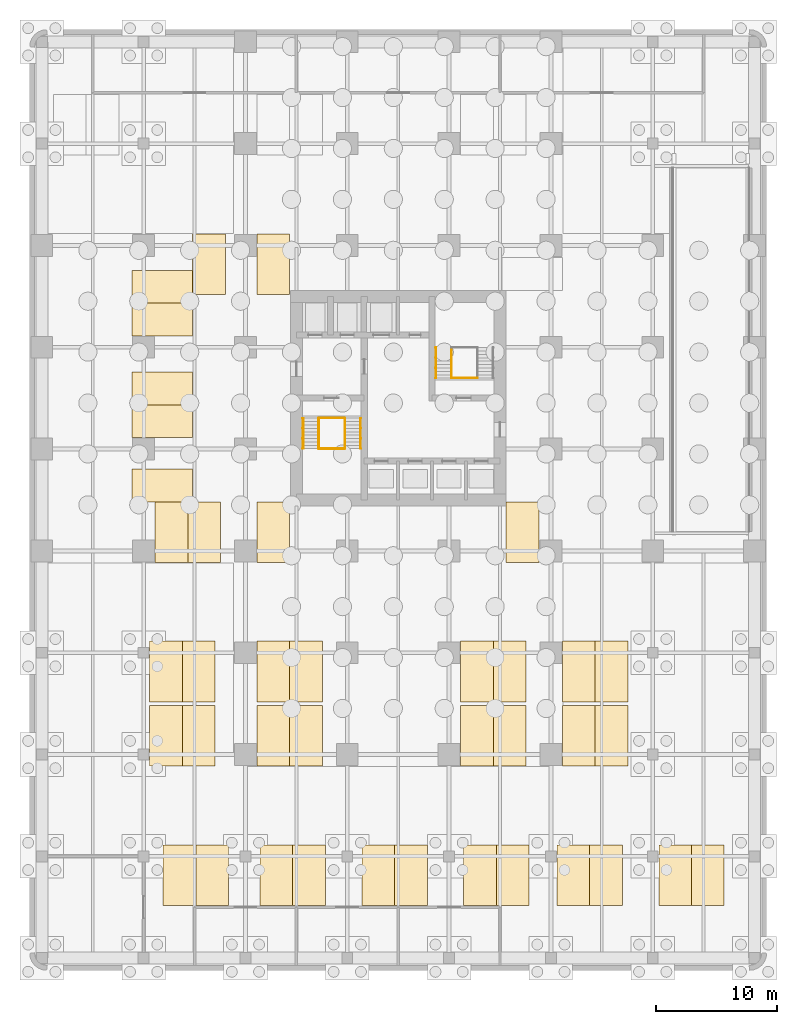
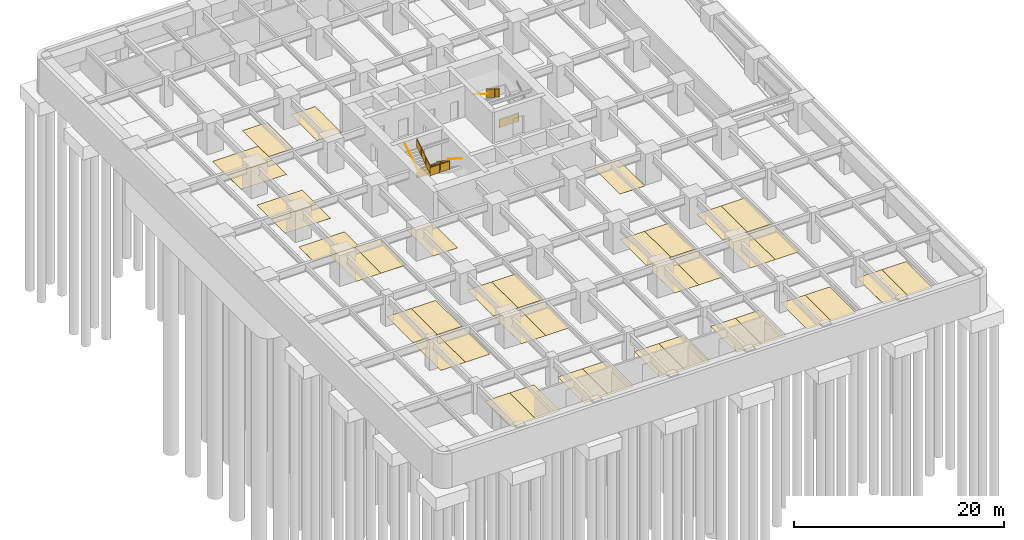
# One storey, part 8 of 11: 39 coverings, 9 railings.
"""IFC4 building model written with IfcOpenShell, lengths in metres."""

from ifc_helpers import new_model, si_unit, direction, frame, origin, origin_2d, place, context, subcontext, project, spatial, polyline, circle, outline, extrude, material, layer, layer_set, type_object, element, save


model = new_model("IFC4")

# Units and contexts
model_context = context("Model", 3, precision=1e-05, world=origin(), true_north=direction((0.0, 1.0)))
body_context = subcontext(model_context, "Body", "Model", "MODEL_VIEW")
ifc_project = project(units=[si_unit("LENGTHUNIT", "METRE"), si_unit("AREAUNIT", "SQUARE_METRE"), si_unit("VOLUMEUNIT", "CUBIC_METRE"), si_unit("PLANEANGLEUNIT", "RADIAN"), si_unit("MASSUNIT", "GRAM", prefix="KILO")], contexts=[model_context])

# Site, building, storey
site_placement = place(None, origin())
site = spatial("IfcSite", under=ifc_project, at=site_placement, CompositionType="ELEMENT")
building_placement = place(site_placement, origin())
building = spatial("IfcBuilding", under=site, at=building_placement, Name="Torre Alcanfor", CompositionType="ELEMENT")
storey_placement = place(building_placement, frame((0.0, 0.0, -7.199951171875)))
storey = spatial("IfcBuildingStorey", under=building, at=storey_placement, Name="B2", CompositionType="ELEMENT", Elevation=-7.199951171875)

# Coverings
ifc_material_1 = material(Name="Line-marking paint on sealed concrete", Category="concrete")
ifc_layer = layer(ifc_material_1, 0.0029296875)
ifc_layer_set = layer_set([ifc_layer], Name="Parking bay marking 2700x5000")
covering_type = type_object("IfcCoveringType", Name="Parking bay marking 2700x5000", PredefinedType="USERDEFINED", material=ifc_layer_set)
covering_1_placement = place(storey_placement, origin())
element("IfcCovering", 1, at=covering_1_placement, inside=storey, type_object=covering_type, Name="Parking bay 201", ObjectType="PARKING BAY", PredefinedType="USERDEFINED", context=body_context, shape_type="SweptSolid", body=[
    extrude(outline(polyline([(10.0, -12.449951171875), (12.699951171875, -12.449951171875), (12.699951171875, -7.449951171875), (10.0, -7.449951171875), (10.0, -12.449951171875)])), origin(), (0.0, 0.0, 1.0), 0.0029296875),
])
covering_2_placement = place(storey_placement, origin())
element("IfcCovering", 2, at=covering_2_placement, inside=storey, type_object=covering_type, Name="Parking bay 202", ObjectType="PARKING BAY", PredefinedType="USERDEFINED", context=body_context, shape_type="SweptSolid", body=[
    extrude(outline(polyline([(12.699951171875, -12.449951171875), (15.39990234375, -12.449951171875), (15.39990234375, -7.449951171875), (12.699951171875, -7.449951171875), (12.699951171875, -12.449951171875)])), origin(), (0.0, 0.0, 1.0), 0.0029296875),
])
covering_3_placement = place(storey_placement, origin())
element("IfcCovering", 3, at=covering_3_placement, inside=storey, type_object=covering_type, Name="Parking bay 203", ObjectType="PARKING BAY", PredefinedType="USERDEFINED", context=body_context, shape_type="SweptSolid", body=[
    extrude(outline(polyline([(18.0, -12.449951171875), (20.699951171875, -12.449951171875), (20.699951171875, -7.449951171875), (18.0, -7.449951171875), (18.0, -12.449951171875)])), origin(), (0.0, 0.0, 1.0), 0.0029296875),
])
covering_4_placement = place(storey_placement, origin())
element("IfcCovering", 4, at=covering_4_placement, inside=storey, type_object=covering_type, Name="Parking bay 204", ObjectType="PARKING BAY", PredefinedType="USERDEFINED", context=body_context, shape_type="SweptSolid", body=[
    extrude(outline(polyline([(20.699951171875, -12.449951171875), (23.39990234375, -12.449951171875), (23.39990234375, -7.449951171875), (20.699951171875, -7.449951171875), (20.699951171875, -12.449951171875)])), origin(), (0.0, 0.0, 1.0), 0.0029296875),
])
covering_5_placement = place(storey_placement, origin())
element("IfcCovering", 5, at=covering_5_placement, inside=storey, type_object=covering_type, Name="Parking bay 205", ObjectType="PARKING BAY", PredefinedType="USERDEFINED", context=body_context, shape_type="SweptSolid", body=[
    extrude(outline(polyline([(26.39990234375, -12.449951171875), (29.10009765625, -12.449951171875), (29.10009765625, -7.449951171875), (26.39990234375, -7.449951171875), (26.39990234375, -12.449951171875)])), origin(), (0.0, 0.0, 1.0), 0.0029296875),
])
covering_6_placement = place(storey_placement, origin())
element("IfcCovering", 6, at=covering_6_placement, inside=storey, type_object=covering_type, Name="Parking bay 206", ObjectType="PARKING BAY", PredefinedType="USERDEFINED", context=body_context, shape_type="SweptSolid", body=[
    extrude(outline(polyline([(29.10009765625, -12.449951171875), (31.800048828125, -12.449951171875), (31.800048828125, -7.449951171875), (29.10009765625, -7.449951171875), (29.10009765625, -12.449951171875)])), origin(), (0.0, 0.0, 1.0), 0.0029296875),
])
covering_7_placement = place(storey_placement, origin())
element("IfcCovering", 7, at=covering_7_placement, inside=storey, type_object=covering_type, Name="Parking bay 207", ObjectType="PARKING BAY", PredefinedType="USERDEFINED", context=body_context, shape_type="SweptSolid", body=[
    extrude(outline(polyline([(34.800048828125, -12.449951171875), (37.5, -12.449951171875), (37.5, -7.449951171875), (34.800048828125, -7.449951171875), (34.800048828125, -12.449951171875)])), origin(), (0.0, 0.0, 1.0), 0.0029296875),
])
covering_8_placement = place(storey_placement, origin())
element("IfcCovering", 8, at=covering_8_placement, inside=storey, type_object=covering_type, Name="Parking bay 208", ObjectType="PARKING BAY", PredefinedType="USERDEFINED", context=body_context, shape_type="SweptSolid", body=[
    extrude(outline(polyline([(37.5, -12.449951171875), (40.199951171875, -12.449951171875), (40.199951171875, -7.449951171875), (37.5, -7.449951171875), (37.5, -12.449951171875)])), origin(), (0.0, 0.0, 1.0), 0.0029296875),
])
covering_9_placement = place(storey_placement, origin())
element("IfcCovering", 9, at=covering_9_placement, inside=storey, type_object=covering_type, Name="Parking bay 209", ObjectType="PARKING BAY", PredefinedType="USERDEFINED", context=body_context, shape_type="SweptSolid", body=[
    extrude(outline(polyline([(42.5, -12.449951171875), (45.199951171875, -12.449951171875), (45.199951171875, -7.449951171875), (42.5, -7.449951171875), (42.5, -12.449951171875)])), origin(), (0.0, 0.0, 1.0), 0.0029296875),
])
covering_10_placement = place(storey_placement, origin())
element("IfcCovering", 10, at=covering_10_placement, inside=storey, type_object=covering_type, Name="Parking bay 210", ObjectType="PARKING BAY", PredefinedType="USERDEFINED", context=body_context, shape_type="SweptSolid", body=[
    extrude(outline(polyline([(45.199951171875, -12.449951171875), (47.89990234375, -12.449951171875), (47.89990234375, -7.449951171875), (45.199951171875, -7.449951171875), (45.199951171875, -12.449951171875)])), origin(), (0.0, 0.0, 1.0), 0.0029296875),
])
covering_11_placement = place(storey_placement, origin())
element("IfcCovering", 11, at=covering_11_placement, inside=storey, type_object=covering_type, Name="Parking bay 211", ObjectType="PARKING BAY", PredefinedType="USERDEFINED", context=body_context, shape_type="SweptSolid", body=[
    extrude(outline(polyline([(50.89990234375, -12.449951171875), (53.60009765625, -12.449951171875), (53.60009765625, -7.449951171875), (50.89990234375, -7.449951171875), (50.89990234375, -12.449951171875)])), origin(), (0.0, 0.0, 1.0), 0.0029296875),
])
covering_12_placement = place(storey_placement, origin())
element("IfcCovering", 12, at=covering_12_placement, inside=storey, type_object=covering_type, Name="Parking bay 212", ObjectType="PARKING BAY", PredefinedType="USERDEFINED", context=body_context, shape_type="SweptSolid", body=[
    extrude(outline(polyline([(53.60009765625, -12.449951171875), (56.300048828125, -12.449951171875), (56.300048828125, -7.449951171875), (53.60009765625, -7.449951171875), (53.60009765625, -12.449951171875)])), origin(), (0.0, 0.0, 1.0), 0.0029296875),
])
covering_13_placement = place(storey_placement, origin())
element("IfcCovering", 13, at=covering_13_placement, inside=storey, type_object=covering_type, Name="Parking bay 213", ObjectType="PARKING BAY", PredefinedType="USERDEFINED", context=body_context, shape_type="SweptSolid", body=[
    extrude(outline(polyline([(8.89990234375, -0.949951171875), (11.60009765625, -0.949951171875), (11.60009765625, 4.050048828125), (8.89990234375, 4.050048828125), (8.89990234375, -0.949951171875)])), origin(), (0.0, 0.0, 1.0), 0.0029296875),
])
covering_14_placement = place(storey_placement, origin())
element("IfcCovering", 14, at=covering_14_placement, inside=storey, type_object=covering_type, Name="Parking bay 214", ObjectType="PARKING BAY", PredefinedType="USERDEFINED", context=body_context, shape_type="SweptSolid", body=[
    extrude(outline(polyline([(11.60009765625, -0.949951171875), (14.300048828125, -0.949951171875), (14.300048828125, 4.050048828125), (11.60009765625, 4.050048828125), (11.60009765625, -0.949951171875)])), origin(), (0.0, 0.0, 1.0), 0.0029296875),
])
covering_15_placement = place(storey_placement, origin())
element("IfcCovering", 15, at=covering_15_placement, inside=storey, type_object=covering_type, Name="Parking bay 215", ObjectType="PARKING BAY", PredefinedType="USERDEFINED", context=body_context, shape_type="SweptSolid", body=[
    extrude(outline(polyline([(17.75, -0.949951171875), (20.449951171875, -0.949951171875), (20.449951171875, 4.050048828125), (17.75, 4.050048828125), (17.75, -0.949951171875)])), origin(), (0.0, 0.0, 1.0), 0.0029296875),
])
covering_16_placement = place(storey_placement, origin())
element("IfcCovering", 16, at=covering_16_placement, inside=storey, type_object=covering_type, Name="Parking bay 216", ObjectType="PARKING BAY", PredefinedType="USERDEFINED", context=body_context, shape_type="SweptSolid", body=[
    extrude(outline(polyline([(20.449951171875, -0.949951171875), (23.14990234375, -0.949951171875), (23.14990234375, 4.050048828125), (20.449951171875, 4.050048828125), (20.449951171875, -0.949951171875)])), origin(), (0.0, 0.0, 1.0), 0.0029296875),
])
covering_17_placement = place(storey_placement, origin())
element("IfcCovering", 17, at=covering_17_placement, inside=storey, type_object=covering_type, Name="Parking bay 217", ObjectType="PARKING BAY", PredefinedType="USERDEFINED", context=body_context, shape_type="SweptSolid", body=[
    extrude(outline(polyline([(34.550048828125, -0.949951171875), (37.25, -0.949951171875), (37.25, 4.050048828125), (34.550048828125, 4.050048828125), (34.550048828125, -0.949951171875)])), origin(), (0.0, 0.0, 1.0), 0.0029296875),
])
covering_18_placement = place(storey_placement, origin())
element("IfcCovering", 18, at=covering_18_placement, inside=storey, type_object=covering_type, Name="Parking bay 218", ObjectType="PARKING BAY", PredefinedType="USERDEFINED", context=body_context, shape_type="SweptSolid", body=[
    extrude(outline(polyline([(37.25, -0.949951171875), (39.949951171875, -0.949951171875), (39.949951171875, 4.050048828125), (37.25, 4.050048828125), (37.25, -0.949951171875)])), origin(), (0.0, 0.0, 1.0), 0.0029296875),
])
covering_19_placement = place(storey_placement, origin())
element("IfcCovering", 19, at=covering_19_placement, inside=storey, type_object=covering_type, Name="Parking bay 219", ObjectType="PARKING BAY", PredefinedType="USERDEFINED", context=body_context, shape_type="SweptSolid", body=[
    extrude(outline(polyline([(42.949951171875, -0.949951171875), (45.64990234375, -0.949951171875), (45.64990234375, 4.050048828125), (42.949951171875, 4.050048828125), (42.949951171875, -0.949951171875)])), origin(), (0.0, 0.0, 1.0), 0.0029296875),
])
covering_20_placement = place(storey_placement, origin())
element("IfcCovering", 20, at=covering_20_placement, inside=storey, type_object=covering_type, Name="Parking bay 220", ObjectType="PARKING BAY", PredefinedType="USERDEFINED", context=body_context, shape_type="SweptSolid", body=[
    extrude(outline(polyline([(45.64990234375, -0.949951171875), (48.35009765625, -0.949951171875), (48.35009765625, 4.050048828125), (45.64990234375, 4.050048828125), (45.64990234375, -0.949951171875)])), origin(), (0.0, 0.0, 1.0), 0.0029296875),
])
covering_21_placement = place(storey_placement, origin())
element("IfcCovering", 21, at=covering_21_placement, inside=storey, type_object=covering_type, Name="Parking bay 221", ObjectType="PARKING BAY", PredefinedType="USERDEFINED", context=body_context, shape_type="SweptSolid", body=[
    extrude(outline(polyline([(8.89990234375, 4.35009765625), (11.60009765625, 4.35009765625), (11.60009765625, 9.35009765625), (8.89990234375, 9.35009765625), (8.89990234375, 4.35009765625)])), origin(), (0.0, 0.0, 1.0), 0.0029296875),
])
covering_22_placement = place(storey_placement, origin())
element("IfcCovering", 22, at=covering_22_placement, inside=storey, type_object=covering_type, Name="Parking bay 222", ObjectType="PARKING BAY", PredefinedType="USERDEFINED", context=body_context, shape_type="SweptSolid", body=[
    extrude(outline(polyline([(11.60009765625, 4.35009765625), (14.300048828125, 4.35009765625), (14.300048828125, 9.35009765625), (11.60009765625, 9.35009765625), (11.60009765625, 4.35009765625)])), origin(), (0.0, 0.0, 1.0), 0.0029296875),
])
covering_23_placement = place(storey_placement, origin())
element("IfcCovering", 23, at=covering_23_placement, inside=storey, type_object=covering_type, Name="Parking bay 223", ObjectType="PARKING BAY", PredefinedType="USERDEFINED", context=body_context, shape_type="SweptSolid", body=[
    extrude(outline(polyline([(17.75, 4.35009765625), (20.449951171875, 4.35009765625), (20.449951171875, 9.35009765625), (17.75, 9.35009765625), (17.75, 4.35009765625)])), origin(), (0.0, 0.0, 1.0), 0.0029296875),
])
covering_24_placement = place(storey_placement, origin())
element("IfcCovering", 24, at=covering_24_placement, inside=storey, type_object=covering_type, Name="Parking bay 224", ObjectType="PARKING BAY", PredefinedType="USERDEFINED", context=body_context, shape_type="SweptSolid", body=[
    extrude(outline(polyline([(20.449951171875, 4.35009765625), (23.14990234375, 4.35009765625), (23.14990234375, 9.35009765625), (20.449951171875, 9.35009765625), (20.449951171875, 4.35009765625)])), origin(), (0.0, 0.0, 1.0), 0.0029296875),
])
covering_25_placement = place(storey_placement, origin())
element("IfcCovering", 25, at=covering_25_placement, inside=storey, type_object=covering_type, Name="Parking bay 225", ObjectType="PARKING BAY", PredefinedType="USERDEFINED", context=body_context, shape_type="SweptSolid", body=[
    extrude(outline(polyline([(34.550048828125, 4.35009765625), (37.25, 4.35009765625), (37.25, 9.35009765625), (34.550048828125, 9.35009765625), (34.550048828125, 4.35009765625)])), origin(), (0.0, 0.0, 1.0), 0.0029296875),
])
covering_26_placement = place(storey_placement, origin())
element("IfcCovering", 26, at=covering_26_placement, inside=storey, type_object=covering_type, Name="Parking bay 226", ObjectType="PARKING BAY", PredefinedType="USERDEFINED", context=body_context, shape_type="SweptSolid", body=[
    extrude(outline(polyline([(37.25, 4.35009765625), (39.949951171875, 4.35009765625), (39.949951171875, 9.35009765625), (37.25, 9.35009765625), (37.25, 4.35009765625)])), origin(), (0.0, 0.0, 1.0), 0.0029296875),
])
covering_27_placement = place(storey_placement, origin())
element("IfcCovering", 27, at=covering_27_placement, inside=storey, type_object=covering_type, Name="Parking bay 227", ObjectType="PARKING BAY", PredefinedType="USERDEFINED", context=body_context, shape_type="SweptSolid", body=[
    extrude(outline(polyline([(42.949951171875, 4.35009765625), (45.64990234375, 4.35009765625), (45.64990234375, 9.35009765625), (42.949951171875, 9.35009765625), (42.949951171875, 4.35009765625)])), origin(), (0.0, 0.0, 1.0), 0.0029296875),
])
covering_28_placement = place(storey_placement, origin())
element("IfcCovering", 28, at=covering_28_placement, inside=storey, type_object=covering_type, Name="Parking bay 228", ObjectType="PARKING BAY", PredefinedType="USERDEFINED", context=body_context, shape_type="SweptSolid", body=[
    extrude(outline(polyline([(45.64990234375, 4.35009765625), (48.35009765625, 4.35009765625), (48.35009765625, 9.35009765625), (45.64990234375, 9.35009765625), (45.64990234375, 4.35009765625)])), origin(), (0.0, 0.0, 1.0), 0.0029296875),
])
covering_29_placement = place(storey_placement, origin())
element("IfcCovering", 29, at=covering_29_placement, inside=storey, type_object=covering_type, Name="Parking bay 229", ObjectType="PARKING BAY", PredefinedType="USERDEFINED", context=body_context, shape_type="SweptSolid", body=[
    extrude(outline(polyline([(9.35009765625, 15.85009765625), (12.050048828125, 15.85009765625), (12.050048828125, 20.85009765625), (9.35009765625, 20.85009765625), (9.35009765625, 15.85009765625)])), origin(), (0.0, 0.0, 1.0), 0.0029296875),
])
covering_30_placement = place(storey_placement, origin())
element("IfcCovering", 30, at=covering_30_placement, inside=storey, type_object=covering_type, Name="Parking bay 230", ObjectType="PARKING BAY", PredefinedType="USERDEFINED", context=body_context, shape_type="SweptSolid", body=[
    extrude(outline(polyline([(12.050048828125, 15.85009765625), (14.75, 15.85009765625), (14.75, 20.85009765625), (12.050048828125, 20.85009765625), (12.050048828125, 15.85009765625)])), origin(), (0.0, 0.0, 1.0), 0.0029296875),
])
covering_31_placement = place(storey_placement, origin())
element("IfcCovering", 31, at=covering_31_placement, inside=storey, type_object=covering_type, Name="Parking bay 231", ObjectType="PARKING BAY", PredefinedType="USERDEFINED", context=body_context, shape_type="SweptSolid", body=[
    extrude(outline(polyline([(17.75, 15.85009765625), (20.449951171875, 15.85009765625), (20.449951171875, 20.85009765625), (17.75, 20.85009765625), (17.75, 15.85009765625)])), origin(), (0.0, 0.0, 1.0), 0.0029296875),
])
covering_32_placement = place(storey_placement, origin())
element("IfcCovering", 32, at=covering_32_placement, inside=storey, type_object=covering_type, Name="Parking bay 232", ObjectType="PARKING BAY", PredefinedType="USERDEFINED", context=body_context, shape_type="SweptSolid", body=[
    extrude(outline(polyline([(38.300048828125, 15.85009765625), (41.0, 15.85009765625), (41.0, 20.85009765625), (38.300048828125, 20.85009765625), (38.300048828125, 15.85009765625)])), origin(), (0.0, 0.0, 1.0), 0.0029296875),
])
covering_33_placement = place(storey_placement, origin())
element("IfcCovering", 33, at=covering_33_placement, inside=storey, type_object=covering_type, Name="Parking bay 233", ObjectType="PARKING BAY", PredefinedType="USERDEFINED", context=body_context, shape_type="SweptSolid", body=[
    extrude(outline(polyline([(7.449951171875, 20.85009765625), (12.449951171875, 20.85009765625), (12.449951171875, 23.550048828125), (7.449951171875, 23.550048828125), (7.449951171875, 20.85009765625)])), origin(), (0.0, 0.0, 1.0), 0.0029296875),
])
covering_34_placement = place(storey_placement, origin())
element("IfcCovering", 34, at=covering_34_placement, inside=storey, type_object=covering_type, Name="Parking bay 234", ObjectType="PARKING BAY", PredefinedType="USERDEFINED", context=body_context, shape_type="SweptSolid", body=[
    extrude(outline(polyline([(7.449951171875, 26.14990234375), (12.449951171875, 26.14990234375), (12.449951171875, 28.85009765625), (7.449951171875, 28.85009765625), (7.449951171875, 26.14990234375)])), origin(), (0.0, 0.0, 1.0), 0.0029296875),
])
covering_35_placement = place(storey_placement, origin())
element("IfcCovering", 35, at=covering_35_placement, inside=storey, type_object=covering_type, Name="Parking bay 235", ObjectType="PARKING BAY", PredefinedType="USERDEFINED", context=body_context, shape_type="SweptSolid", body=[
    extrude(outline(polyline([(7.449951171875, 28.85009765625), (12.449951171875, 28.85009765625), (12.449951171875, 31.550048828125), (7.449951171875, 31.550048828125), (7.449951171875, 28.85009765625)])), origin(), (0.0, 0.0, 1.0), 0.0029296875),
])
covering_36_placement = place(storey_placement, origin())
element("IfcCovering", 36, at=covering_36_placement, inside=storey, type_object=covering_type, Name="Parking bay 236", ObjectType="PARKING BAY", PredefinedType="USERDEFINED", context=body_context, shape_type="SweptSolid", body=[
    extrude(outline(polyline([(7.449951171875, 34.550048828125), (12.449951171875, 34.550048828125), (12.449951171875, 37.25), (7.449951171875, 37.25), (7.449951171875, 34.550048828125)])), origin(), (0.0, 0.0, 1.0), 0.0029296875),
])
covering_37_placement = place(storey_placement, origin())
element("IfcCovering", 37, at=covering_37_placement, inside=storey, type_object=covering_type, Name="Parking bay 237", ObjectType="PARKING BAY", PredefinedType="USERDEFINED", context=body_context, shape_type="SweptSolid", body=[
    extrude(outline(polyline([(7.449951171875, 37.25), (12.449951171875, 37.25), (12.449951171875, 39.949951171875), (7.449951171875, 39.949951171875), (7.449951171875, 37.25)])), origin(), (0.0, 0.0, 1.0), 0.0029296875),
])
covering_38_placement = place(storey_placement, origin())
element("IfcCovering", 38, at=covering_38_placement, inside=storey, type_object=covering_type, Name="Parking bay 238", ObjectType="PARKING BAY", PredefinedType="USERDEFINED", context=body_context, shape_type="SweptSolid", body=[
    extrude(outline(polyline([(12.449951171875, 37.949951171875), (15.14990234375, 37.949951171875), (15.14990234375, 42.949951171875), (12.449951171875, 42.949951171875), (12.449951171875, 37.949951171875)])), origin(), (0.0, 0.0, 1.0), 0.0029296875),
])
covering_39_placement = place(storey_placement, origin())
element("IfcCovering", 39, at=covering_39_placement, inside=storey, type_object=covering_type, Name="Parking bay 239", ObjectType="PARKING BAY", PredefinedType="USERDEFINED", context=body_context, shape_type="SweptSolid", body=[
    extrude(outline(polyline([(17.75, 37.949951171875), (20.449951171875, 37.949951171875), (20.449951171875, 42.949951171875), (17.75, 42.949951171875), (17.75, 37.949951171875)])), origin(), (0.0, 0.0, 1.0), 0.0029296875),
])

# Railings
ifc_material_2 = material(Name="Steel ASTM A500 Grade C hollow sections", Category="steel")
railing_type_1 = type_object("IfcRailingType", Name="Stair guard and handrail 1100", PredefinedType="GUARDRAIL", material=ifc_material_2)
railing_1_placement = place(storey_placement, frame((25.0, 27.75, 0.179931640625)))
element("IfcRailing", 40, at=railing_1_placement, inside=storey, type_object=railing_type_1, Name="Stair guard S1 B2 flight 1", PredefinedType="GUARDRAIL", context=body_context, shape_type="SweptSolid", body=[
    extrude(circle(Radius=0.02392578125, at=origin_2d()), frame((0.0, 0.0, 1.076171875), z_axis=(0.0, -0.841162588446, 0.540782303519), x_axis=(1.0, 0.0, 0.0)), (0.0, 0.0, 1.0), 2.995849609375),
    extrude(circle(Radius=0.02099609375, at=origin_2d()), origin(), (0.0, 0.0, 1.0), 1.052001953125),
    extrude(circle(Radius=0.02099609375, at=origin_2d()), frame((0.0, -0.840087890625, 0.5400390625)), (0.0, 0.0, 1.0), 1.052001953125),
    extrude(circle(Radius=0.02099609375, at=origin_2d()), frame((0.0, -1.679931640625, 1.080078125)), (0.0, 0.0, 1.0), 1.052001953125),
    extrude(circle(Radius=0.02099609375, at=origin_2d()), frame((0.0, -2.52001953125, 1.6201171875)), (0.0, 0.0, 1.0), 1.052001953125),
    extrude(outline(polyline([(0.041015625, 0.076416015625), (0.799072265625, 0.563720703125), (0.799072265625, 1.515625), (0.041015625, 1.0283203125), (0.041015625, 0.076416015625)])), frame((0.005859375, 0.0, 0.0), z_axis=(-1.0, 0.0, 0.0), x_axis=(0.0, -1.0, 0.0)), (0.0, 0.0, 1.0), 0.011962890625),
    extrude(outline(polyline([(0.881103515625, 0.616455078125), (1.638916015625, 1.103759765625), (1.638916015625, 2.0556640625), (0.881103515625, 1.568359375), (0.881103515625, 0.616455078125)])), frame((0.005859375, 0.0, 0.0), z_axis=(-1.0, 0.0, 0.0), x_axis=(0.0, -1.0, 0.0)), (0.0, 0.0, 1.0), 0.011962890625),
    extrude(outline(polyline([(1.720947265625, 1.156494140625), (2.47900390625, 1.643798828125), (2.47900390625, 2.595703125), (1.720947265625, 2.1083984375), (1.720947265625, 1.156494140625)])), frame((0.005859375, 0.0, 0.0), z_axis=(-1.0, 0.0, 0.0), x_axis=(0.0, -1.0, 0.0)), (0.0, 0.0, 1.0), 0.011962890625),
])
railing_2_placement = place(storey_placement, frame((22.85009765625, 25.22998046875, 1.97998046875)))
element("IfcRailing", 41, at=railing_2_placement, inside=storey, type_object=railing_type_1, Name="Stair guard S1 B2 flight 2", PredefinedType="GUARDRAIL", context=body_context, shape_type="SweptSolid", body=[
    extrude(circle(Radius=0.02392578125, at=origin_2d()), frame((0.0, 0.0, 1.076171875), z_axis=(0.0, 0.841199657755, 0.540724639528), x_axis=(-1.0, 0.0, 0.0)), (0.0, 0.0, 1.0), 2.995849609375),
    extrude(circle(Radius=0.02099609375, at=origin_2d()), origin(), (0.0, 0.0, 1.0), 1.052001953125),
    extrude(circle(Radius=0.02099609375, at=origin_2d()), frame((0.0, 0.840087890625, 0.5400390625)), (0.0, 0.0, 1.0), 1.052001953125),
    extrude(circle(Radius=0.02099609375, at=origin_2d()), frame((0.0, 1.679931640625, 1.079833984375)), (0.0, 0.0, 1.0), 1.052001953125),
    extrude(circle(Radius=0.02099609375, at=origin_2d()), frame((0.0, 2.52001953125, 1.619873046875)), (0.0, 0.0, 1.0), 1.052001953125),
    extrude(outline(polyline([(0.041015625, 0.076416015625), (0.799072265625, 0.563720703125), (0.799072265625, 1.515625), (0.041015625, 1.0283203125), (0.041015625, 0.076416015625)])), frame((-0.005859375, 0.0, 0.0), z_axis=(1.0, 0.0, 0.0), x_axis=(0.0, 1.0, 0.0)), (0.0, 0.0, 1.0), 0.011962890625),
    extrude(outline(polyline([(0.881103515625, 0.6162109375), (1.638916015625, 1.103515625), (1.638916015625, 2.0556640625), (0.881103515625, 1.568359375), (0.881103515625, 0.6162109375)])), frame((-0.005859375, 0.0, 0.0), z_axis=(1.0, 0.0, 0.0), x_axis=(0.0, 1.0, 0.0)), (0.0, 0.0, 1.0), 0.011962890625),
    extrude(outline(polyline([(1.720947265625, 1.15625), (2.47900390625, 1.6435546875), (2.47900390625, 2.595458984375), (1.720947265625, 2.108154296875), (1.720947265625, 1.15625)])), frame((-0.005859375, 0.0, 0.0), z_axis=(1.0, 0.0, 0.0), x_axis=(0.0, 1.0, 0.0)), (0.0, 0.0, 1.0), 0.011962890625),
])
for number, where, name in (
    (42, (22.85009765625, 27.75, 0.0), "Stair well guard S1 B2 floor landing"),
    (43, (22.85009765625, 25.22998046875, 1.800048828125), "Stair well guard S1 B2 half landing"),
):
    element("IfcRailing", number, at=place(storey_placement, frame(where)), inside=storey, type_object=railing_type_1, Name=name, PredefinedType="GUARDRAIL", context=body_context, shape_type="SweptSolid", body=[
        extrude(circle(Radius=0.02392578125, at=origin_2d()), frame((0.0, 0.0, 1.076171875), z_axis=(1.0, 0.0, 0.0), x_axis=(0.0, 1.0, 0.0)), (0.0, 0.0, 1.0), 2.14990234375),
        extrude(circle(Radius=0.02099609375, at=origin_2d()), origin(), (0.0, 0.0, 1.0), 1.052001953125),
        extrude(circle(Radius=0.02099609375, at=origin_2d()), frame((1.074951171875, 0.0, 0.0)), (0.0, 0.0, 1.0), 1.052001953125),
        extrude(circle(Radius=0.02099609375, at=origin_2d()), frame((2.14990234375, 0.0, 0.0)), (0.0, 0.0, 1.0), 1.052001953125),
        extrude(outline(polyline([(0.041015625, 0.050048828125), (1.033935546875, 0.050048828125), (1.033935546875, 1.001953125), (0.041015625, 1.001953125), (0.041015625, 0.050048828125)])), frame((0.0, 0.005859375, 0.0), z_axis=(0.0, -1.0, 0.0), x_axis=(1.0, 0.0, 0.0)), (0.0, 0.0, 1.0), 0.011962890625),
        extrude(outline(polyline([(1.115966796875, 0.050048828125), (2.10888671875, 0.050048828125), (2.10888671875, 1.001953125), (1.115966796875, 1.001953125), (1.115966796875, 0.050048828125)])), frame((0.0, 0.005859375, 0.0), z_axis=(0.0, -1.0, 0.0), x_axis=(1.0, 0.0, 0.0)), (0.0, 0.0, 1.0), 0.011962890625),
    ])
railing_3_placement = place(storey_placement, frame((33.800048828125, 33.570068359375, 1.97998046875)))
element("IfcRailing", 44, at=railing_3_placement, inside=storey, type_object=railing_type_1, Name="Stair guard S2 B2 flight 2", PredefinedType="GUARDRAIL", context=body_context, shape_type="SweptSolid", body=[
    extrude(circle(Radius=0.02392578125, at=origin_2d()), frame((0.0, 0.0, 1.076171875), z_axis=(0.0, -0.841199657755, 0.540724639528), x_axis=(1.0, 0.0, 0.0)), (0.0, 0.0, 1.0), 2.995849609375),
    extrude(circle(Radius=0.02099609375, at=origin_2d()), origin(), (0.0, 0.0, 1.0), 1.052001953125),
    extrude(circle(Radius=0.02099609375, at=origin_2d()), frame((0.0, -0.840087890625, 0.5400390625)), (0.0, 0.0, 1.0), 1.052001953125),
    extrude(circle(Radius=0.02099609375, at=origin_2d()), frame((0.0, -1.679931640625, 1.079833984375)), (0.0, 0.0, 1.0), 1.052001953125),
    extrude(circle(Radius=0.02099609375, at=origin_2d()), frame((0.0, -2.52001953125, 1.619873046875)), (0.0, 0.0, 1.0), 1.052001953125),
    extrude(outline(polyline([(0.041015625, 0.076416015625), (0.799072265625, 0.563720703125), (0.799072265625, 1.515625), (0.041015625, 1.0283203125), (0.041015625, 0.076416015625)])), frame((0.005859375, 0.0, 0.0), z_axis=(-1.0, 0.0, 0.0), x_axis=(0.0, -1.0, 0.0)), (0.0, 0.0, 1.0), 0.011962890625),
    extrude(outline(polyline([(0.881103515625, 0.6162109375), (1.638916015625, 1.103515625), (1.638916015625, 2.0556640625), (0.881103515625, 1.568359375), (0.881103515625, 0.6162109375)])), frame((0.005859375, 0.0, 0.0), z_axis=(-1.0, 0.0, 0.0), x_axis=(0.0, -1.0, 0.0)), (0.0, 0.0, 1.0), 0.011962890625),
    extrude(outline(polyline([(1.720947265625, 1.15625), (2.47900390625, 1.6435546875), (2.47900390625, 2.595458984375), (1.720947265625, 2.108154296875), (1.720947265625, 1.15625)])), frame((0.005859375, 0.0, 0.0), z_axis=(-1.0, 0.0, 0.0), x_axis=(0.0, -1.0, 0.0)), (0.0, 0.0, 1.0), 0.011962890625),
])
railing_4_placement = place(storey_placement, frame((33.800048828125, 31.050048828125, 0.0)))
element("IfcRailing", 45, at=railing_4_placement, inside=storey, type_object=railing_type_1, Name="Stair well guard S2 B2 floor landing", PredefinedType="GUARDRAIL", context=body_context, shape_type="SweptSolid", body=[
    extrude(circle(Radius=0.02392578125, at=origin_2d()), frame((0.0, 0.0, 1.076171875), z_axis=(1.0, 0.0, 0.0), x_axis=(0.0, 1.0, 0.0)), (0.0, 0.0, 1.0), 2.14990234375),
    extrude(circle(Radius=0.02099609375, at=origin_2d()), origin(), (0.0, 0.0, 1.0), 1.052001953125),
    extrude(circle(Radius=0.02099609375, at=origin_2d()), frame((1.074951171875, 0.0, 0.0)), (0.0, 0.0, 1.0), 1.052001953125),
    extrude(circle(Radius=0.02099609375, at=origin_2d()), frame((2.14990234375, 0.0, 0.0)), (0.0, 0.0, 1.0), 1.052001953125),
    extrude(outline(polyline([(0.041015625, 0.050048828125), (1.033935546875, 0.050048828125), (1.033935546875, 1.001953125), (0.041015625, 1.001953125), (0.041015625, 0.050048828125)])), frame((0.0, 0.005859375, 0.0), z_axis=(0.0, -1.0, 0.0), x_axis=(1.0, 0.0, 0.0)), (0.0, 0.0, 1.0), 0.011962890625),
    extrude(outline(polyline([(1.115966796875, 0.050048828125), (2.10888671875, 0.050048828125), (2.10888671875, 1.001953125), (1.115966796875, 1.001953125), (1.115966796875, 0.050048828125)])), frame((0.0, 0.005859375, 0.0), z_axis=(0.0, -1.0, 0.0), x_axis=(1.0, 0.0, 0.0)), (0.0, 0.0, 1.0), 0.011962890625),
])
ifc_material_3 = material(Name="Steel ASTM A500 Grade C hollow sections", Category="steel")
railing_type_2 = type_object("IfcRailingType", Name="Stair wall handrail 900", PredefinedType="HANDRAIL", material=ifc_material_3)
railing_5_placement = place(storey_placement, frame((26.284912109375, 27.75, 0.179931640625)))
element("IfcRailing", 46, at=railing_5_placement, inside=storey, type_object=railing_type_2, Name="Stair handrail S1 B2 flight 1", PredefinedType="HANDRAIL", context=body_context, shape_type="SweptSolid", body=[
    extrude(circle(Radius=0.02392578125, at=origin_2d()), frame((0.0, 0.0, 0.8759765625), z_axis=(0.0, -0.841162588446, 0.540782303519), x_axis=(1.0, 0.0, 0.0)), (0.0, 0.0, 1.0), 2.995849609375),
    extrude(circle(Radius=0.008056640625, at=origin_2d()), frame((0.0, 0.0, 0.8759765625), z_axis=(1.0, 0.0, 0.0), x_axis=(0.0, 0.0, 1.0)), (0.0, 0.0, 1.0), 0.06494140625),
    extrude(circle(Radius=0.008056640625, at=origin_2d()), frame((0.0, -0.840087890625, 1.416015625), z_axis=(1.0, 0.0, 0.0), x_axis=(0.0, 0.0, 1.0)), (0.0, 0.0, 1.0), 0.06494140625),
    extrude(circle(Radius=0.008056640625, at=origin_2d()), frame((0.0, -1.679931640625, 1.9560546875), z_axis=(1.0, 0.0, 0.0), x_axis=(0.0, 0.0, 1.0)), (0.0, 0.0, 1.0), 0.06494140625),
    extrude(circle(Radius=0.008056640625, at=origin_2d()), frame((0.0, -2.52001953125, 2.49609375), z_axis=(1.0, 0.0, 0.0), x_axis=(0.0, 0.0, 1.0)), (0.0, 0.0, 1.0), 0.06494140625),
])
railing_6_placement = place(storey_placement, frame((21.56494140625, 25.22998046875, 1.97998046875)))
element("IfcRailing", 47, at=railing_6_placement, inside=storey, type_object=railing_type_2, Name="Stair handrail S1 B2 flight 2", PredefinedType="HANDRAIL", context=body_context, shape_type="SweptSolid", body=[
    extrude(circle(Radius=0.02392578125, at=origin_2d()), frame((0.0, 0.0, 0.8759765625), z_axis=(0.0, 0.841199657755, 0.540724639528), x_axis=(-1.0, 0.0, 0.0)), (0.0, 0.0, 1.0), 2.995849609375),
    extrude(circle(Radius=0.008056640625, at=origin_2d()), frame((0.0, 0.0, 0.8759765625), z_axis=(-1.0, 0.0, 0.0), x_axis=(0.0, 0.0, 1.0)), (0.0, 0.0, 1.0), 0.06494140625),
    extrude(circle(Radius=0.008056640625, at=origin_2d()), frame((0.0, 0.840087890625, 1.415771484375), z_axis=(-1.0, 0.0, 0.0), x_axis=(0.0, 0.0, 1.0)), (0.0, 0.0, 1.0), 0.06494140625),
    extrude(circle(Radius=0.008056640625, at=origin_2d()), frame((0.0, 1.679931640625, 1.955810546875), z_axis=(-1.0, 0.0, 0.0), x_axis=(0.0, 0.0, 1.0)), (0.0, 0.0, 1.0), 0.06494140625),
    extrude(circle(Radius=0.008056640625, at=origin_2d()), frame((0.0, 2.52001953125, 2.49560546875), z_axis=(-1.0, 0.0, 0.0), x_axis=(0.0, 0.0, 1.0)), (0.0, 0.0, 1.0), 0.06494140625),
])
railing_7_placement = place(storey_placement, frame((32.514892578125, 33.570068359375, 1.97998046875)))
element("IfcRailing", 48, at=railing_7_placement, inside=storey, type_object=railing_type_2, Name="Stair handrail S2 B2 flight 2", PredefinedType="HANDRAIL", context=body_context, shape_type="SweptSolid", body=[
    extrude(circle(Radius=0.02392578125, at=origin_2d()), frame((0.0, 0.0, 0.8759765625), z_axis=(0.0, -0.841199657755, 0.540724639528), x_axis=(1.0, 0.0, 0.0)), (0.0, 0.0, 1.0), 2.995849609375),
    extrude(circle(Radius=0.008056640625, at=origin_2d()), frame((0.0, 0.0, 0.8759765625), z_axis=(-1.0, 0.0, 0.0), x_axis=(0.0, 0.0, 1.0)), (0.0, 0.0, 1.0), 0.06494140625),
    extrude(circle(Radius=0.008056640625, at=origin_2d()), frame((0.0, -0.840087890625, 1.415771484375), z_axis=(-1.0, 0.0, 0.0), x_axis=(0.0, 0.0, 1.0)), (0.0, 0.0, 1.0), 0.06494140625),
    extrude(circle(Radius=0.008056640625, at=origin_2d()), frame((0.0, -1.679931640625, 1.955810546875), z_axis=(-1.0, 0.0, 0.0), x_axis=(0.0, 0.0, 1.0)), (0.0, 0.0, 1.0), 0.06494140625),
    extrude(circle(Radius=0.008056640625, at=origin_2d()), frame((0.0, -2.52001953125, 2.49560546875), z_axis=(-1.0, 0.0, 0.0), x_axis=(0.0, 0.0, 1.0)), (0.0, 0.0, 1.0), 0.06494140625),
])

save(model, "model.ifc")
